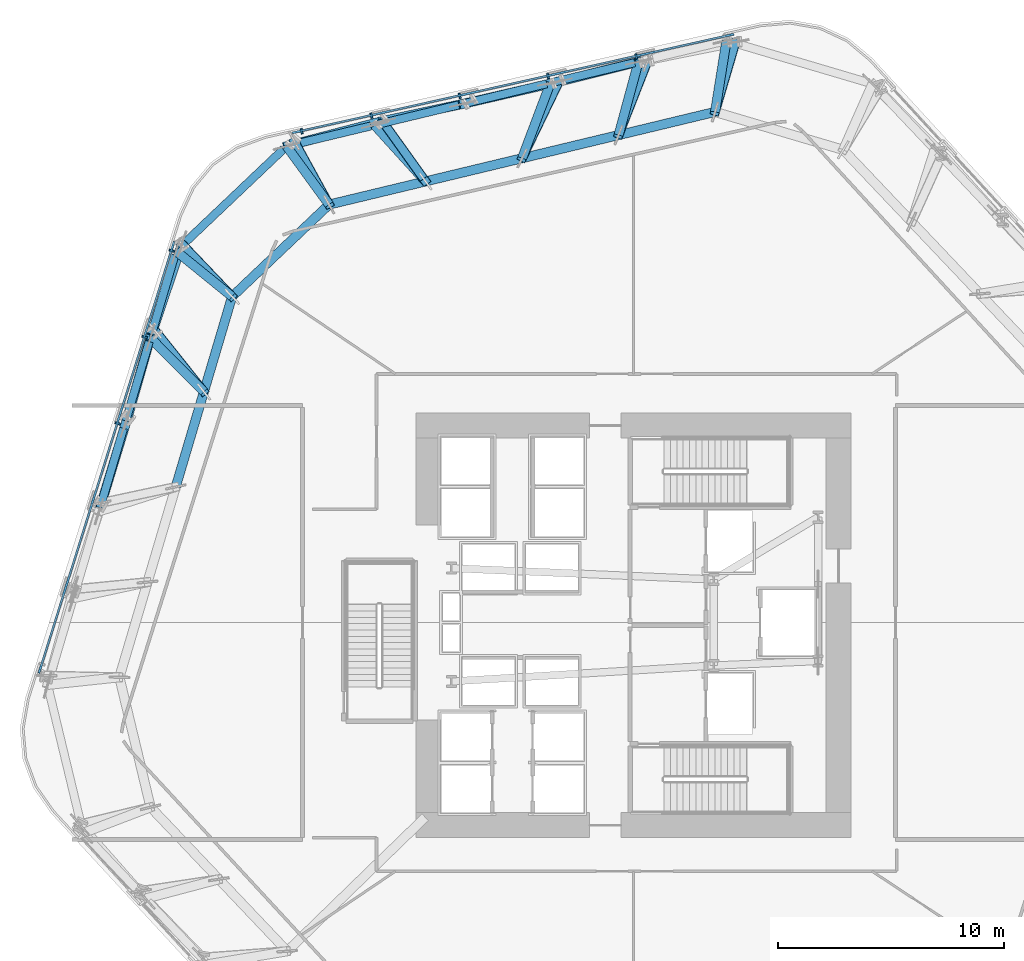
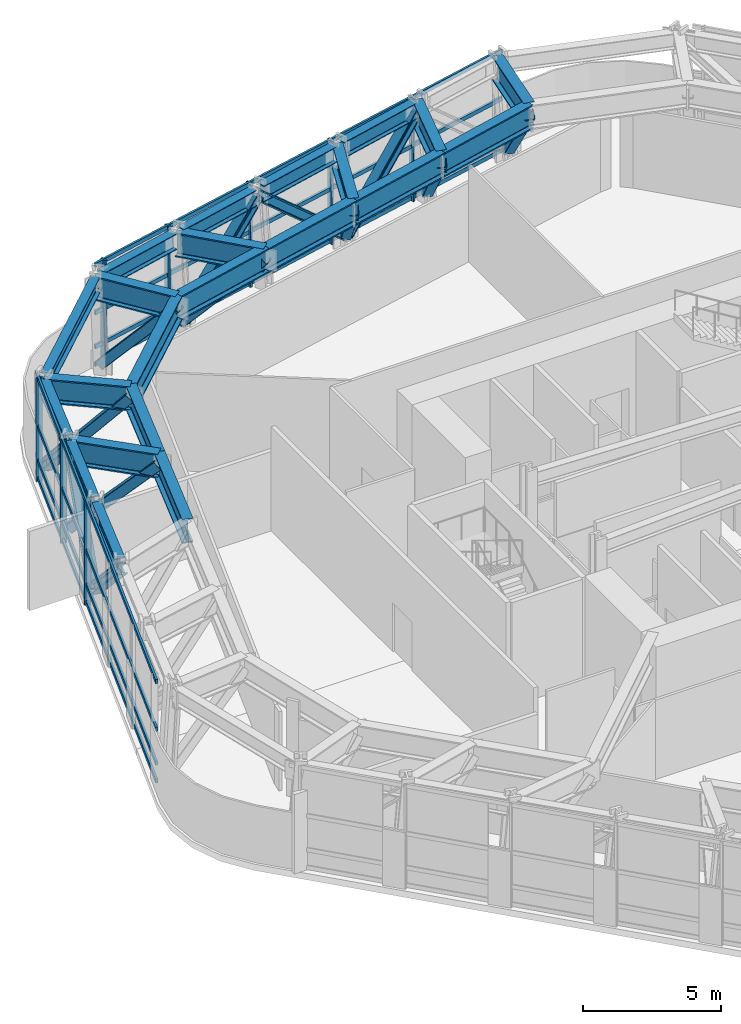
# One storey, part 5 of 16: 30 members, 22 beams, 2 elements without a shape of their own.
"""IFC4 building model written with IfcOpenShell, lengths in metres."""

from ifc_helpers import new_model, si_unit, direction, frame, origin, origin_2d, place, context, subcontext, project, spatial, rectangle, hollow_rectangle, i_section, extrude, material, layer, layer_set, material_profile, profile_set, type_object, element, aggregate, save


model = new_model("IFC4")

# Units and contexts
model_context = context("Model", 3, precision=1e-05, world=origin(), true_north=direction((0.0, 1.0)))
body_context = subcontext(model_context, "Body", "Model", "MODEL_VIEW")
ifc_project = project(units=[si_unit("LENGTHUNIT", "METRE"), si_unit("AREAUNIT", "SQUARE_METRE"), si_unit("VOLUMEUNIT", "CUBIC_METRE"), si_unit("PLANEANGLEUNIT", "RADIAN"), si_unit("MASSUNIT", "GRAM", prefix="KILO")], contexts=[model_context])

# Site, building, storey
site_placement = place(None, origin())
site = spatial("IfcSite", under=ifc_project, at=site_placement, CompositionType="ELEMENT")
building_placement = place(site_placement, origin())
building = spatial("IfcBuilding", under=site, at=building_placement, Name="Valkerne Bourse Tower", CompositionType="ELEMENT")
storey_placement = place(building_placement, frame((0.0, 0.0, 77.199951171875)))
storey = spatial("IfcBuildingStorey", under=building, at=storey_placement, Name="L19", CompositionType="ELEMENT", Elevation=77.199951171875)

# Beams
ifc_material_1 = material(Name="Steel ASTM A992", Category="steel")
ifc_material_profile_1 = material_profile(ifc_material_1, i_section(OverallWidth=0.358154296875, OverallDepth=0.7060546875, WebThickness=0.018310546875, FlangeThickness=0.0302734375, FilletRadius=0.02294921875, at=origin_2d()), Name="W27X178")
ifc_profile_set_1 = profile_set([ifc_material_profile_1], Name="Steel ASTM A992")
beam_type_1 = type_object("IfcBeamType", Name="BM-W27X178", PredefinedType="SPANDREL", material=ifc_profile_set_1)
for number, where, z_axis, x_axis, name in (
    (1, (46.852783203125, 51.727783203125, 4.22705078125), (-0.972366688683, -0.233458824506, 0.0), (0.233458824506, -0.972366688683, 0.0), "L19 Hexagonal Spandrel Ring Beam 07"),
    (2, (42.96728515625, 50.794921875, 4.22705078125), (-0.972366688683, -0.233458824506, 0.0), (0.233458824506, -0.972366688683, 0.0), "L19 Hexagonal Spandrel Ring Beam 08"),
):
    element("IfcBeam", number, at=place(storey_placement, frame(where, z_axis=z_axis, x_axis=x_axis)), inside=storey, type_object=beam_type_1, Name=name, PredefinedType="SPANDREL", context=body_context, shape_type="SweptSolid", body=[
        extrude(i_section(OverallWidth=0.358154296875, OverallDepth=0.7060546875, WebThickness=0.018310546875, FlangeThickness=0.0302734375, FilletRadius=0.02294921875, at=origin_2d()), origin(), (0.0, 0.0, 1.0), 3.656005859375),
    ])
beam_1_placement = place(storey_placement, frame((39.081787109375, 49.862060546875, 4.22705078125), z_axis=(-0.972370327977, -0.233443666159, 0.0), x_axis=(0.233443666159, -0.972370327977, 0.0)))
element("IfcBeam", 3, at=beam_1_placement, inside=storey, type_object=beam_type_1, Name="L19 Hexagonal Spandrel Ring Beam 09", PredefinedType="SPANDREL", context=body_context, shape_type="SweptSolid", body=[
    extrude(i_section(OverallWidth=0.358154296875, OverallDepth=0.7060546875, WebThickness=0.018310546875, FlangeThickness=0.0302734375, FilletRadius=0.02294921875, at=origin_2d()), origin(), (0.0, 0.0, 1.0), 3.65625),
])
beam_2_placement = place(storey_placement, frame((35.196044921875, 48.92919921875, 4.22705078125), z_axis=(-0.972366688683, -0.233458824506, 0.0), x_axis=(0.233458824506, -0.972366688683, 0.0)))
element("IfcBeam", 4, at=beam_2_placement, inside=storey, type_object=beam_type_1, Name="L19 Hexagonal Spandrel Ring Beam 10", PredefinedType="SPANDREL", context=body_context, shape_type="SweptSolid", body=[
    extrude(i_section(OverallWidth=0.358154296875, OverallDepth=0.7060546875, WebThickness=0.018310546875, FlangeThickness=0.0302734375, FilletRadius=0.02294921875, at=origin_2d()), origin(), (0.0, 0.0, 1.0), 3.656005859375),
])
beam_3_placement = place(storey_placement, frame((31.3525390625, 47.919189453125, 4.22705078125), z_axis=(-0.725358999969, -0.688370773031, 0.0), x_axis=(0.688370773031, -0.725358999969, 0.0)))
element("IfcBeam", 5, at=beam_3_placement, inside=storey, type_object=beam_type_1, Name="L19 Hexagonal Spandrel Ring Beam 11", PredefinedType="SPANDREL", context=body_context, shape_type="SweptSolid", body=[
    extrude(i_section(OverallWidth=0.358154296875, OverallDepth=0.7060546875, WebThickness=0.018310546875, FlangeThickness=0.0302734375, FilletRadius=0.02294921875, at=origin_2d()), origin(), (0.0, 0.0, 1.0), 6.38916015625),
])
beam_4_placement = place(storey_placement, frame((26.54638671875, 43.2412109375, 4.22705078125), z_axis=(-0.283995112466, -0.958825727698, 0.0), x_axis=(0.958825727698, -0.283995112466, 0.0)))
element("IfcBeam", 6, at=beam_4_placement, inside=storey, type_object=beam_type_1, Name="L19 Hexagonal Spandrel Ring Beam 12", PredefinedType="SPANDREL", context=body_context, shape_type="SweptSolid", body=[
    extrude(i_section(OverallWidth=0.358154296875, OverallDepth=0.7060546875, WebThickness=0.018310546875, FlangeThickness=0.0302734375, FilletRadius=0.02294921875, at=origin_2d()), origin(), (0.0, 0.0, 1.0), 3.65625),
])
for number, where, z_axis, x_axis, name in (
    (7, (25.41162109375, 39.40966796875, 4.22705078125), (-0.2840132966, -0.958820341542, 0.0), (0.958820341542, -0.2840132966, 0.0), "L19 Hexagonal Spandrel Ring Beam 13"),
    (8, (24.276611328125, 35.578125, 4.22705078125), (-0.2840132966, -0.958820341542, 0.0), (0.958820341542, -0.2840132966, 0.0), "L19 Hexagonal Spandrel Ring Beam 14"),
):
    element("IfcBeam", number, at=place(storey_placement, frame(where, z_axis=z_axis, x_axis=x_axis)), inside=storey, type_object=beam_type_1, Name=name, PredefinedType="SPANDREL", context=body_context, shape_type="SweptSolid", body=[
        extrude(i_section(OverallWidth=0.358154296875, OverallDepth=0.7060546875, WebThickness=0.018310546875, FlangeThickness=0.0302734375, FilletRadius=0.02294921875, at=origin_2d()), origin(), (0.0, 0.0, 1.0), 3.656005859375),
    ])
ifc_material_2 = material(Name="Steel ASTM A913 Grade 65", Category="steel")
ifc_material_profile_2 = material_profile(ifc_material_2, i_section(OverallWidth=0.408935546875, OverallDepth=1.06689453125, WebThickness=0.031005859375, FlangeThickness=0.055908203125, FilletRadius=0.030517578125, at=origin_2d()), Name="W40X397")
ifc_profile_set_2 = profile_set([ifc_material_profile_2], Name="Steel ASTM A913 Grade 65")
beam_type_2 = type_object("IfcBeamType", Name="BM-W40X397", PredefinedType="BEAM", material=ifc_profile_set_2)
beam_5_placement = place(storey_placement, frame((50.90380859375, 52.7001953125, 4.046630859375), z_axis=(-0.157727707577, -0.987482643018, 0.0), x_axis=(0.987482643018, -0.157727707577, 0.0)))
element("IfcBeam", 9, at=beam_5_placement, inside=storey, type_object=beam_type_2, Name="L19 Radial Setback Transfer Girder Out 05", PredefinedType="BEAM", context=body_context, shape_type="SweptSolid", body=[
    extrude(i_section(OverallWidth=0.408935546875, OverallDepth=1.06689453125, WebThickness=0.031005859375, FlangeThickness=0.055908203125, FilletRadius=0.030517578125, at=origin_2d()), origin(), (0.0, 0.0, 1.0), 3.1884765625),
])
beam_6_placement = place(storey_placement, frame((50.40087890625, 49.551513671875, 4.046630859375), z_axis=(-0.972367578817, -0.233455117027, 0.0), x_axis=(0.233455117027, -0.972367578817, 0.0)))
element("IfcBeam", 10, at=beam_6_placement, inside=storey, type_object=beam_type_2, Name="L19 Setback Ring Transfer Girder 05", PredefinedType="BEAM", context=body_context, shape_type="SweptSolid", body=[
    extrude(i_section(OverallWidth=0.408935546875, OverallDepth=1.06689453125, WebThickness=0.031005859375, FlangeThickness=0.055908203125, FilletRadius=0.030517578125, at=origin_2d()), origin(), (0.0, 0.0, 1.0), 4.3828125),
])
beam_7_placement = place(storey_placement, frame((47.018310546875, 51.767578125, 4.046630859375), z_axis=(-0.261929339758, -0.965087053573, 0.0), x_axis=(0.965087053573, -0.261929339758, 0.0)))
element("IfcBeam", 11, at=beam_7_placement, inside=storey, type_object=beam_type_2, Name="L19 Radial Setback Transfer Girder Out 06", PredefinedType="BEAM", context=body_context, shape_type="SweptSolid", body=[
    extrude(i_section(OverallWidth=0.408935546875, OverallDepth=1.06689453125, WebThickness=0.031005859375, FlangeThickness=0.055908203125, FilletRadius=0.030517578125, at=origin_2d()), origin(), (0.0, 0.0, 1.0), 3.3564453125),
])
beam_8_placement = place(storey_placement, frame((46.13916015625, 48.5283203125, 4.046630859375), z_axis=(-0.972370614506, -0.23344247267, 0.0), x_axis=(0.23344247267, -0.972370614506, 0.0)))
element("IfcBeam", 12, at=beam_8_placement, inside=storey, type_object=beam_type_2, Name="L19 Setback Ring Transfer Girder 06", PredefinedType="BEAM", context=body_context, shape_type="SweptSolid", body=[
    extrude(i_section(OverallWidth=0.408935546875, OverallDepth=1.06689453125, WebThickness=0.031005859375, FlangeThickness=0.055908203125, FilletRadius=0.030517578125, at=origin_2d()), origin(), (0.0, 0.0, 1.0), 4.383056640625),
])
beam_9_placement = place(storey_placement, frame((43.132568359375, 50.834716796875, 4.046630859375), z_axis=(-0.352792077796, -0.935701741926, 0.0), x_axis=(0.935701741926, -0.352792077796, 0.0)))
element("IfcBeam", 13, at=beam_9_placement, inside=storey, type_object=beam_type_2, Name="L19 Radial Setback Transfer Girder Out 07", PredefinedType="BEAM", context=body_context, shape_type="SweptSolid", body=[
    extrude(i_section(OverallWidth=0.408935546875, OverallDepth=1.06689453125, WebThickness=0.031005859375, FlangeThickness=0.055908203125, FilletRadius=0.030517578125, at=origin_2d()), origin(), (0.0, 0.0, 1.0), 3.558349609375),
])
beam_10_placement = place(storey_placement, frame((41.877197265625, 47.505126953125, 4.046630859375), z_axis=(-0.972370614506, -0.23344247267, 0.0), x_axis=(0.23344247267, -0.972370614506, 0.0)))
element("IfcBeam", 14, at=beam_10_placement, inside=storey, type_object=beam_type_2, Name="L19 Setback Ring Transfer Girder 07", PredefinedType="BEAM", context=body_context, shape_type="SweptSolid", body=[
    extrude(i_section(OverallWidth=0.408935546875, OverallDepth=1.06689453125, WebThickness=0.031005859375, FlangeThickness=0.055908203125, FilletRadius=0.030517578125, at=origin_2d()), origin(), (0.0, 0.0, 1.0), 4.383056640625),
])
beam_11_placement = place(storey_placement, frame((35.361328125, 48.968994140625, 4.046630859375), z_axis=(0.671520672796, -0.740985820382, 0.0), x_axis=(0.740985820382, 0.671520672796, 0.0)))
element("IfcBeam", 15, at=beam_11_placement, inside=storey, type_object=beam_type_2, Name="L19 Radial Setback Transfer Girder Out 08", PredefinedType="BEAM", context=body_context, shape_type="SweptSolid", body=[
    extrude(i_section(OverallWidth=0.408935546875, OverallDepth=1.06689453125, WebThickness=0.031005859375, FlangeThickness=0.055908203125, FilletRadius=0.030517578125, at=origin_2d()), origin(), (0.0, 0.0, 1.0), 3.3564453125),
])
beam_12_placement = place(storey_placement, frame((37.615234375, 46.48193359375, 4.046630859375), z_axis=(-0.972367578817, -0.233455117027, 0.0), x_axis=(0.233455117027, -0.972367578817, 0.0)))
element("IfcBeam", 16, at=beam_12_placement, inside=storey, type_object=beam_type_2, Name="L19 Setback Ring Transfer Girder 08", PredefinedType="BEAM", context=body_context, shape_type="SweptSolid", body=[
    extrude(i_section(OverallWidth=0.408935546875, OverallDepth=1.06689453125, WebThickness=0.031005859375, FlangeThickness=0.055908203125, FilletRadius=0.030517578125, at=origin_2d()), origin(), (0.0, 0.0, 1.0), 4.3828125),
])
beam_13_placement = place(storey_placement, frame((31.475830078125, 48.0361328125, 4.046630859375), z_axis=(0.588831582783, -0.808255756006, 0.0), x_axis=(0.808255756006, 0.588831582783, 0.0)))
element("IfcBeam", 17, at=beam_13_placement, inside=storey, type_object=beam_type_2, Name="L19 Radial Setback Transfer Girder Out 09", PredefinedType="BEAM", context=body_context, shape_type="SweptSolid", body=[
    extrude(i_section(OverallWidth=0.408935546875, OverallDepth=1.06689453125, WebThickness=0.031005859375, FlangeThickness=0.055908203125, FilletRadius=0.030517578125, at=origin_2d()), origin(), (0.0, 0.0, 1.0), 3.188720703125),
])
beam_14_placement = place(storey_placement, frame((33.353515625, 45.458740234375, 4.046630859375), z_axis=(-0.72538746724, -0.688340774887, 0.0), x_axis=(0.688340774887, -0.72538746724, 0.0)))
element("IfcBeam", 18, at=beam_14_placement, inside=storey, type_object=beam_type_2, Name="L19 Setback Ring Transfer Girder 09", PredefinedType="BEAM", context=body_context, shape_type="SweptSolid", body=[
    extrude(i_section(OverallWidth=0.408935546875, OverallDepth=1.06689453125, WebThickness=0.031005859375, FlangeThickness=0.055908203125, FilletRadius=0.030517578125, at=origin_2d()), origin(), (0.0, 0.0, 1.0), 5.90478515625),
])
beam_15_placement = place(storey_placement, frame((26.5947265625, 43.404052734375, 4.046630859375), z_axis=(0.776366871687, -0.630281270979, 0.0), x_axis=(0.630281270979, 0.776366871687, 0.0)))
element("IfcBeam", 19, at=beam_15_placement, inside=storey, type_object=beam_type_2, Name="L19 Radial Setback Transfer Girder Out 10", PredefinedType="BEAM", context=body_context, shape_type="SweptSolid", body=[
    extrude(i_section(OverallWidth=0.408935546875, OverallDepth=1.06689453125, WebThickness=0.031005859375, FlangeThickness=0.055908203125, FilletRadius=0.030517578125, at=origin_2d()), origin(), (0.0, 0.0, 1.0), 3.188720703125),
])
beam_16_placement = place(storey_placement, frame((29.0703125, 41.394287109375, 4.046630859375), z_axis=(-0.284014366534, -0.958820024615, 0.0), x_axis=(0.958820024615, -0.284014366534, 0.0)))
element("IfcBeam", 20, at=beam_16_placement, inside=storey, type_object=beam_type_2, Name="L19 Setback Ring Transfer Girder 10", PredefinedType="BEAM", context=body_context, shape_type="SweptSolid", body=[
    extrude(i_section(OverallWidth=0.408935546875, OverallDepth=1.06689453125, WebThickness=0.031005859375, FlangeThickness=0.055908203125, FilletRadius=0.030517578125, at=origin_2d()), origin(), (0.0, 0.0, 1.0), 4.383056640625),
])
beam_17_placement = place(storey_placement, frame((25.459716796875, 39.57275390625, 4.046630859375), z_axis=(0.704811885056, -0.709394253349, 0.0), x_axis=(0.709394253349, 0.704811885056, 0.0)))
element("IfcBeam", 21, at=beam_17_placement, inside=storey, type_object=beam_type_2, Name="L19 Radial Setback Transfer Girder Out 11", PredefinedType="BEAM", context=body_context, shape_type="SweptSolid", body=[
    extrude(i_section(OverallWidth=0.408935546875, OverallDepth=1.06689453125, WebThickness=0.031005859375, FlangeThickness=0.055908203125, FilletRadius=0.030517578125, at=origin_2d()), origin(), (0.0, 0.0, 1.0), 3.3564453125),
])
beam_18_placement = place(storey_placement, frame((27.825439453125, 37.191650390625, 4.046630859375), z_axis=(-0.283978324973, -0.958830699835, 0.0), x_axis=(0.958830699835, -0.283978324973, 0.0)))
element("IfcBeam", 22, at=beam_18_placement, inside=storey, type_object=beam_type_2, Name="L19 Setback Ring Transfer Girder 11", PredefinedType="BEAM", context=body_context, shape_type="SweptSolid", body=[
    extrude(i_section(OverallWidth=0.408935546875, OverallDepth=1.06689453125, WebThickness=0.031005859375, FlangeThickness=0.055908203125, FilletRadius=0.030517578125, at=origin_2d()), origin(), (0.0, 0.0, 1.0), 4.3828125),
])

# Curtain wall, members
ifc_material_3 = material(Name="Aluminium AA 6063-T6", Category="aluminium")
ifc_layer = layer(ifc_material_3, 0.25)
ifc_layer_set = layer_set([ifc_layer], Name="Aluminium AA 6063-T6")
curtain_wall_type = type_object("IfcCurtainWallType", Name="CW-06", PredefinedType="NOTDEFINED", material=ifc_layer_set)
curtain_wall_1_placement = place(storey_placement, origin())
curtain_wall_1 = element("IfcCurtainWall", 23, at=curtain_wall_1_placement, inside=storey, type_object=curtain_wall_type, Name="L19 Hexagonal Stick Curtain Wall Face 2", PredefinedType="NOTDEFINED")
ifc_material_profile_3 = material_profile(ifc_material_3, rectangle(XDim=0.090087890625, YDim=0.239990234375, at=origin_2d()), Name="CWM-90X240")
ifc_profile_set_3 = profile_set([ifc_material_profile_3], Name="Aluminium AA 6063-T6")
member_type_1 = type_object("IfcMemberType", Name="CW-MUL-240X90", PredefinedType="MULLION", material=ifc_profile_set_3)
member_1_placement = place(storey_placement, frame((46.923095703125, 52.001220703125, 0.0), z_axis=(0.0, 0.0, 1.0), x_axis=(-0.975917218933, -0.218141196913, 0.0)))
member_1 = element("IfcMember", 24, at=member_1_placement, type_object=member_type_1, Name="CW-L19-F2 Jamb Mullion 01A", PredefinedType="MULLION", context=body_context, shape_type="SweptSolid", body=[
    extrude(rectangle(XDim=0.090087890625, YDim=0.239990234375, at=origin_2d()), origin(), (0.0, 0.0, 1.0), 4.580078125),
])
member_2_placement = place(storey_placement, frame((43.023193359375, 51.12939453125, 0.0), z_axis=(0.0, 0.0, 1.0), x_axis=(-0.975916028069, -0.218146524516, 0.0)))
member_2 = element("IfcMember", 25, at=member_2_placement, type_object=member_type_1, Name="CW-L19-F2 Jamb Mullion 02A", PredefinedType="MULLION", context=body_context, shape_type="SweptSolid", body=[
    extrude(rectangle(XDim=0.090087890625, YDim=0.239990234375, at=origin_2d()), origin(), (0.0, 0.0, 1.0), 4.580078125),
])
member_3_placement = place(storey_placement, frame((39.12353515625, 50.2578125, 0.0), z_axis=(0.0, 0.0, 1.0), x_axis=(-0.975917218933, -0.218141196913, 0.0)))
member_3 = element("IfcMember", 26, at=member_3_placement, type_object=member_type_1, Name="CW-L19-F2 Jamb Mullion 03A", PredefinedType="MULLION", context=body_context, shape_type="SweptSolid", body=[
    extrude(rectangle(XDim=0.090087890625, YDim=0.239990234375, at=origin_2d()), origin(), (0.0, 0.0, 1.0), 4.580078125),
])
member_4_placement = place(storey_placement, frame((35.223876953125, 49.385986328125, 0.0), z_axis=(0.0, 0.0, 1.0), x_axis=(-0.975917218933, -0.218141196913, 0.0)))
member_4 = element("IfcMember", 27, at=member_4_placement, type_object=member_type_1, Name="CW-L19-F2 Jamb Mullion 04A", PredefinedType="MULLION", context=body_context, shape_type="SweptSolid", body=[
    extrude(rectangle(XDim=0.090087890625, YDim=0.239990234375, at=origin_2d()), origin(), (0.0, 0.0, 1.0), 4.580078125),
])
member_5_placement = place(storey_placement, frame((32.143798828125, 48.697509765625, 0.0), z_axis=(0.0, 0.0, 1.0), x_axis=(-0.975917218933, -0.218141196913, 0.0)))
member_5 = element("IfcMember", 28, at=member_5_placement, type_object=member_type_1, Name="CW-L19-F2 Jamb Mullion 04B", PredefinedType="MULLION", context=body_context, shape_type="SweptSolid", body=[
    extrude(rectangle(XDim=0.090087890625, YDim=0.239990234375, at=origin_2d()), origin(), (0.0, 0.0, 1.0), 4.580078125),
])

curtain_wall_2_placement = place(storey_placement, origin())
curtain_wall_2 = element("IfcCurtainWall", 29, at=curtain_wall_2_placement, inside=storey, type_object=curtain_wall_type, Name="L19 Hexagonal Stick Curtain Wall Face 3", PredefinedType="NOTDEFINED")
member_6_placement = place(storey_placement, frame((26.40478515625, 43.42041015625, 0.0), z_axis=(0.0, 0.0, 1.0), x_axis=(-0.299021549829, -0.954246358514, 0.0)))
member_6 = element("IfcMember", 30, at=member_6_placement, type_object=member_type_1, Name="CW-L19-F3 Jamb Mullion 00A", PredefinedType="MULLION", context=body_context, shape_type="SweptSolid", body=[
    extrude(rectangle(XDim=0.090087890625, YDim=0.239990234375, at=origin_2d()), origin(), (0.0, 0.0, 1.0), 4.580078125),
])
member_7_placement = place(storey_placement, frame((25.2099609375, 39.607177734375, 0.0), z_axis=(0.0, 0.0, 1.0), x_axis=(-0.299051478001, -0.954236979741, 0.0)))
member_7 = element("IfcMember", 31, at=member_7_placement, type_object=member_type_1, Name="CW-L19-F3 Jamb Mullion 01A", PredefinedType="MULLION", context=body_context, shape_type="SweptSolid", body=[
    extrude(rectangle(XDim=0.090087890625, YDim=0.239990234375, at=origin_2d()), origin(), (0.0, 0.0, 1.0), 4.580078125),
])
member_8_placement = place(storey_placement, frame((24.014892578125, 35.794189453125, 0.0), z_axis=(0.0, 0.0, 1.0), x_axis=(-0.299044336827, -0.954239217708, 0.0)))
member_8 = element("IfcMember", 32, at=member_8_placement, type_object=member_type_1, Name="CW-L19-F3 Jamb Mullion 02A", PredefinedType="MULLION", context=body_context, shape_type="SweptSolid", body=[
    extrude(rectangle(XDim=0.090087890625, YDim=0.239990234375, at=origin_2d()), origin(), (0.0, 0.0, 1.0), 4.580078125),
])

# Member
ifc_material_profile_4 = material_profile(ifc_material_3, rectangle(XDim=0.090087890625, YDim=0.179931640625, at=origin_2d()), Name="CWT-90X180")
ifc_profile_set_4 = profile_set([ifc_material_profile_4], Name="Aluminium AA 6063-T6")
member_type_2 = type_object("IfcMemberType", Name="CW-TRN-180X90", PredefinedType="USERDEFINED", material=ifc_profile_set_4)
member_9_placement = place(storey_placement, frame((51.228515625, 52.98388671875, 0.1201171875), z_axis=(-0.975918356881, -0.218136105913, 0.0), x_axis=(0.218136105913, -0.975918356881, 0.0)))
member_9 = element("IfcMember", 33, at=member_9_placement, type_object=member_type_2, Name="CW-L19-F2 Continuous Face Transom 1", ObjectType="TRANSOM", PredefinedType="USERDEFINED", context=body_context, shape_type="SweptSolid", body=[
    extrude(rectangle(XDim=0.090087890625, YDim=0.179931640625, at=origin_2d()), origin(), (0.0, 0.0, 1.0), 19.980224609375),
])

member_10_placement = place(storey_placement, frame((51.228515625, 52.98388671875, 0.900146484375), z_axis=(-0.975918356881, -0.218136105913, 0.0), x_axis=(0.218136105913, -0.975918356881, 0.0)))
member_10 = element("IfcMember", 34, at=member_10_placement, type_object=member_type_2, Name="CW-L19-F2 Continuous Face Transom 2", ObjectType="TRANSOM", PredefinedType="USERDEFINED", context=body_context, shape_type="SweptSolid", body=[
    extrude(rectangle(XDim=0.090087890625, YDim=0.179931640625, at=origin_2d()), origin(), (0.0, 0.0, 1.0), 19.980224609375),
])

member_11_placement = place(storey_placement, frame((51.228515625, 52.98388671875, 2.400146484375), z_axis=(-0.975918356881, -0.218136105913, 0.0), x_axis=(0.218136105913, -0.975918356881, 0.0)))
member_11 = element("IfcMember", 35, at=member_11_placement, type_object=member_type_2, Name="CW-L19-F2 Continuous Face Transom 3", ObjectType="TRANSOM", PredefinedType="USERDEFINED", context=body_context, shape_type="SweptSolid", body=[
    extrude(rectangle(XDim=0.090087890625, YDim=0.179931640625, at=origin_2d()), origin(), (0.0, 0.0, 1.0), 19.980224609375),
])

member_12_placement = place(storey_placement, frame((51.228515625, 52.98388671875, 4.5), z_axis=(-0.975918356881, -0.218136105913, 0.0), x_axis=(0.218136105913, -0.975918356881, 0.0)))
member_12 = element("IfcMember", 36, at=member_12_placement, type_object=member_type_2, Name="CW-L19-F2 Continuous Face Transom 4", ObjectType="TRANSOM", PredefinedType="USERDEFINED", context=body_context, shape_type="SweptSolid", body=[
    extrude(rectangle(XDim=0.090087890625, YDim=0.179931640625, at=origin_2d()), origin(), (0.0, 0.0, 1.0), 19.980224609375),
])

aggregate(curtain_wall_1, [member_9, member_10, member_11, member_12, member_1, member_2, member_3, member_4, member_5])

member_13_placement = place(storey_placement, frame((26.511474609375, 43.8271484375, 0.1201171875), z_axis=(-0.299042319384, -0.954239849942, 0.0), x_axis=(0.954239849942, -0.299042319384, 0.0)))
member_13 = element("IfcMember", 37, at=member_13_placement, type_object=member_type_2, Name="CW-L19-F3 Continuous Face Transom 1", ObjectType="TRANSOM", PredefinedType="USERDEFINED", context=body_context, shape_type="SweptSolid", body=[
    extrude(rectangle(XDim=0.090087890625, YDim=0.179931640625, at=origin_2d()), origin(), (0.0, 0.0, 1.0), 19.97998046875),
])

member_14_placement = place(storey_placement, frame((26.511474609375, 43.8271484375, 0.900146484375), z_axis=(-0.299042319384, -0.954239849942, 0.0), x_axis=(0.954239849942, -0.299042319384, 0.0)))
member_14 = element("IfcMember", 38, at=member_14_placement, type_object=member_type_2, Name="CW-L19-F3 Continuous Face Transom 2", ObjectType="TRANSOM", PredefinedType="USERDEFINED", context=body_context, shape_type="SweptSolid", body=[
    extrude(rectangle(XDim=0.090087890625, YDim=0.179931640625, at=origin_2d()), origin(), (0.0, 0.0, 1.0), 19.97998046875),
])

member_15_placement = place(storey_placement, frame((26.511474609375, 43.8271484375, 2.400146484375), z_axis=(-0.299042319384, -0.954239849942, 0.0), x_axis=(0.954239849942, -0.299042319384, 0.0)))
member_15 = element("IfcMember", 39, at=member_15_placement, type_object=member_type_2, Name="CW-L19-F3 Continuous Face Transom 3", ObjectType="TRANSOM", PredefinedType="USERDEFINED", context=body_context, shape_type="SweptSolid", body=[
    extrude(rectangle(XDim=0.090087890625, YDim=0.179931640625, at=origin_2d()), origin(), (0.0, 0.0, 1.0), 19.97998046875),
])

member_16_placement = place(storey_placement, frame((26.511474609375, 43.8271484375, 4.5), z_axis=(-0.299042319384, -0.954239849942, 0.0), x_axis=(0.954239849942, -0.299042319384, 0.0)))
member_16 = element("IfcMember", 40, at=member_16_placement, type_object=member_type_2, Name="CW-L19-F3 Continuous Face Transom 4", ObjectType="TRANSOM", PredefinedType="USERDEFINED", context=body_context, shape_type="SweptSolid", body=[
    extrude(rectangle(XDim=0.090087890625, YDim=0.179931640625, at=origin_2d()), origin(), (0.0, 0.0, 1.0), 19.97998046875),
])

aggregate(curtain_wall_2, [member_13, member_14, member_15, member_16, member_6, member_7, member_8])

# Members
ifc_material_4 = material(Name="Steel ASTM A500 Grade C", Category="steel")
ifc_material_profile_5 = material_profile(ifc_material_4, hollow_rectangle(XDim=0.39990234375, YDim=0.39990234375, WallThickness=0.01611328125, OuterFilletRadius=0.031982421875, at=origin_2d()), Name="HSS400X400X16")
ifc_profile_set_5 = profile_set([ifc_material_profile_5], Name="Steel ASTM A500 Grade C")
member_type_3 = type_object("IfcMemberType", Name="MBR-HSS400X400X16", PredefinedType="BRACE", material=ifc_profile_set_5)
member_17_placement = place(storey_placement, frame((51.306884765625, 52.6328125, 0.35009765625), z_axis=(-0.185016294012, -0.629234881898, 0.75487246231), x_axis=(0.959387286495, -0.282092244686, 0.0)))
element("IfcMember", 41, at=member_17_placement, inside=storey, type_object=member_type_3, Name="L19 Setback Outrigger Knee Strut 05", PredefinedType="BRACE", context=body_context, shape_type="SweptSolid", body=[
    extrude(hollow_rectangle(XDim=0.39990234375, YDim=0.39990234375, WallThickness=0.01611328125, OuterFilletRadius=0.031982421875, at=origin_2d()), origin(), (0.0, 0.0, 1.0), 4.89697265625),
])
member_18_placement = place(storey_placement, frame((47.4072265625, 51.760986328125, 0.35009765625), z_axis=(-0.250026234768, -0.637388789865, 0.728850061729), x_axis=(0.930938520928, -0.365175944241, 0.0)))
element("IfcMember", 42, at=member_18_placement, inside=storey, type_object=member_type_3, Name="L19 Setback Outrigger Knee Strut 06", PredefinedType="BRACE", context=body_context, shape_type="SweptSolid", body=[
    extrude(hollow_rectangle(XDim=0.39990234375, YDim=0.39990234375, WallThickness=0.01611328125, OuterFilletRadius=0.031982421875, at=origin_2d()), origin(), (0.0, 0.0, 1.0), 5.07177734375),
])
member_19_placement = place(storey_placement, frame((43.50732421875, 50.889404296875, 0.35009765625), z_axis=(-0.30931028231, -0.642153532033, 0.701402873215), x_axis=(0.900932974327, -0.433958265011, 0.0)))
element("IfcMember", 43, at=member_19_placement, inside=storey, type_object=member_type_3, Name="L19 Setback Outrigger Knee Strut 07", PredefinedType="BRACE", context=body_context, shape_type="SweptSolid", body=[
    extrude(hollow_rectangle(XDim=0.39990234375, YDim=0.39990234375, WallThickness=0.01611328125, OuterFilletRadius=0.031982421875, at=origin_2d()), origin(), (0.0, 0.0, 1.0), 5.270263671875),
])
member_20_placement = place(storey_placement, frame((35.7080078125, 49.14599609375, 0.35009765625), z_axis=(0.386113853567, -0.539333636728, 0.748355076402), x_axis=(0.813108686159, 0.582111900319, 0.0)))
element("IfcMember", 44, at=member_20_placement, inside=storey, type_object=member_type_3, Name="L19 Setback Outrigger Knee Strut 08", PredefinedType="BRACE", context=body_context, shape_type="SweptSolid", body=[
    extrude(hollow_rectangle(XDim=0.39990234375, YDim=0.39990234375, WallThickness=0.01611328125, OuterFilletRadius=0.031982421875, at=origin_2d()), origin(), (0.0, 0.0, 1.0), 4.939453125),
])
member_21_placement = place(storey_placement, frame((31.80810546875, 48.274169921875, 0.35009765625), z_axis=(0.315591690985, -0.574945241775, 0.754877376493), x_axis=(0.876620047708, 0.481183220776, 0.0)))
element("IfcMember", 45, at=member_21_placement, inside=storey, type_object=member_type_3, Name="L19 Setback Outrigger Knee Strut 09", PredefinedType="BRACE", context=body_context, shape_type="SweptSolid", body=[
    extrude(hollow_rectangle(XDim=0.39990234375, YDim=0.39990234375, WallThickness=0.01611328125, OuterFilletRadius=0.031982421875, at=origin_2d()), origin(), (0.0, 0.0, 1.0), 4.89697265625),
])
member_22_placement = place(storey_placement, frame((26.85498046875, 43.719482421875, 0.35009765625), z_axis=(0.452404622173, -0.474840381483, 0.754888514914), x_axis=(0.724004138584, 0.689795627206, 0.0)))
element("IfcMember", 46, at=member_22_placement, inside=storey, type_object=member_type_3, Name="L19 Setback Outrigger Knee Strut 10", PredefinedType="BRACE", context=body_context, shape_type="SweptSolid", body=[
    extrude(hollow_rectangle(XDim=0.39990234375, YDim=0.39990234375, WallThickness=0.01611328125, OuterFilletRadius=0.031982421875, at=origin_2d()), origin(), (0.0, 0.0, 1.0), 4.896728515625),
])
member_23_placement = place(storey_placement, frame((25.659912109375, 39.90625, 0.35009765625), z_axis=(0.426976094015, -0.53523643623, 0.728843860145), x_axis=(0.781732311404, 0.623614138155, 0.0)))
element("IfcMember", 47, at=member_23_placement, inside=storey, type_object=member_type_3, Name="L19 Setback Outrigger Knee Strut 11", PredefinedType="BRACE", context=body_context, shape_type="SweptSolid", body=[
    extrude(hollow_rectangle(XDim=0.39990234375, YDim=0.39990234375, WallThickness=0.01611328125, OuterFilletRadius=0.031982421875, at=origin_2d()), origin(), (0.0, 0.0, 1.0), 5.07177734375),
])
ifc_material_profile_6 = material_profile(ifc_material_2, i_section(OverallWidth=0.408935546875, OverallDepth=0.42431640625, WebThickness=0.03271484375, FlangeThickness=0.052490234375, FilletRadius=0.025390625, at=origin_2d()), Name="W14X283")
ifc_profile_set_6 = profile_set([ifc_material_profile_6], Name="Steel ASTM A913 Grade 65")
member_type_4 = type_object("IfcMemberType", Name="MBR-W14X283", PredefinedType="BRACE", material=ifc_profile_set_6)
member_24_placement = place(storey_placement, frame((43.50732421875, 50.889404296875, 0.35009765625), z_axis=(0.661723849559, 0.165511486466, 0.731250637451), x_axis=(-0.242646730879, 0.970114716925, 0.0)))
element("IfcMember", 48, at=member_24_placement, inside=storey, type_object=member_type_4, Name="L19 Perimeter Belt Truss Diagonal 07", PredefinedType="BRACE", context=body_context, shape_type="SweptSolid", body=[
    extrude(i_section(OverallWidth=0.408935546875, OverallDepth=0.42431640625, WebThickness=0.03271484375, FlangeThickness=0.052490234375, FilletRadius=0.025390625, at=origin_2d()), origin(), (0.0, 0.0, 1.0), 5.305908203125),
])
member_25_placement = place(storey_placement, frame((43.50732421875, 50.889404296875, 0.35009765625), z_axis=(-0.728717067739, -0.168920374728, 0.663654535273), x_axis=(0.225817541052, -0.974169614674, 0.0)))
element("IfcMember", 49, at=member_25_placement, inside=storey, type_object=member_type_4, Name="L19 Perimeter Belt Truss Diagonal 08", PredefinedType="BRACE", context=body_context, shape_type="SweptSolid", body=[
    extrude(i_section(OverallWidth=0.408935546875, OverallDepth=0.42431640625, WebThickness=0.03271484375, FlangeThickness=0.052490234375, FilletRadius=0.025390625, at=origin_2d()), origin(), (0.0, 0.0, 1.0), 5.84619140625),
])
member_26_placement = place(storey_placement, frame((35.7080078125, 49.14599609375, 0.35009765625), z_axis=(0.667038267522, 0.142463471044, 0.731275672424), x_axis=(-0.208865599007, 0.977944355038, 0.0)))
element("IfcMember", 50, at=member_26_placement, inside=storey, type_object=member_type_4, Name="L19 Perimeter Belt Truss Diagonal 09", PredefinedType="BRACE", context=body_context, shape_type="SweptSolid", body=[
    extrude(i_section(OverallWidth=0.408935546875, OverallDepth=0.42431640625, WebThickness=0.03271484375, FlangeThickness=0.052490234375, FilletRadius=0.025390625, at=origin_2d()), origin(), (0.0, 0.0, 1.0), 5.3056640625),
])
member_27_placement = place(storey_placement, frame((35.7080078125, 49.14599609375, 0.35009765625), z_axis=(-0.723722934176, -0.189792008005, 0.663478792612), x_axis=(0.253666471087, -0.967291745776, 0.0)))
element("IfcMember", 51, at=member_27_placement, inside=storey, type_object=member_type_4, Name="L19 Perimeter Belt Truss Diagonal 10", PredefinedType="BRACE", context=body_context, shape_type="SweptSolid", body=[
    extrude(i_section(OverallWidth=0.408935546875, OverallDepth=0.42431640625, WebThickness=0.03271484375, FlangeThickness=0.052490234375, FilletRadius=0.025390625, at=origin_2d()), origin(), (0.0, 0.0, 1.0), 5.847900390625),
])
member_28_placement = place(storey_placement, frame((26.85498046875, 43.719482421875, 0.35009765625), z_axis=(-0.238600372382, -0.709121141717, 0.663488559562), x_axis=(0.947786694595, -0.3189049726, 0.0)))
element("IfcMember", 52, at=member_28_placement, inside=storey, type_object=member_type_4, Name="L19 Perimeter Belt Truss Diagonal 12", PredefinedType="BRACE", context=body_context, shape_type="SweptSolid", body=[
    extrude(i_section(OverallWidth=0.408935546875, OverallDepth=0.42431640625, WebThickness=0.03271484375, FlangeThickness=0.052490234375, FilletRadius=0.025390625, at=origin_2d()), origin(), (0.0, 0.0, 1.0), 5.84765625),
])
member_29_placement = place(storey_placement, frame((24.465087890625, 36.09326171875, 0.35009765625), z_axis=(0.187466913702, 0.655812089856, 0.731277415941), x_axis=(-0.96148829851, 0.274845869221, 0.0)))
element("IfcMember", 53, at=member_29_placement, inside=storey, type_object=member_type_4, Name="L19 Perimeter Belt Truss Diagonal 13", PredefinedType="BRACE", context=body_context, shape_type="SweptSolid", body=[
    extrude(i_section(OverallWidth=0.408935546875, OverallDepth=0.42431640625, WebThickness=0.03271484375, FlangeThickness=0.052490234375, FilletRadius=0.025390625, at=origin_2d()), origin(), (0.0, 0.0, 1.0), 5.3056640625),
])
member_30_placement = place(storey_placement, frame((24.465087890625, 36.09326171875, 0.35009765625), z_axis=(-0.218109541085, -0.715547958355, 0.663640977775), x_axis=(0.95654939571, -0.291570323536, 0.0)))
element("IfcMember", 54, at=member_30_placement, inside=storey, type_object=member_type_4, Name="L19 Perimeter Belt Truss Diagonal 14", PredefinedType="BRACE", context=body_context, shape_type="SweptSolid", body=[
    extrude(i_section(OverallWidth=0.408935546875, OverallDepth=0.42431640625, WebThickness=0.03271484375, FlangeThickness=0.052490234375, FilletRadius=0.025390625, at=origin_2d()), origin(), (0.0, 0.0, 1.0), 5.846435546875),
])

save(model, "model.ifc")
